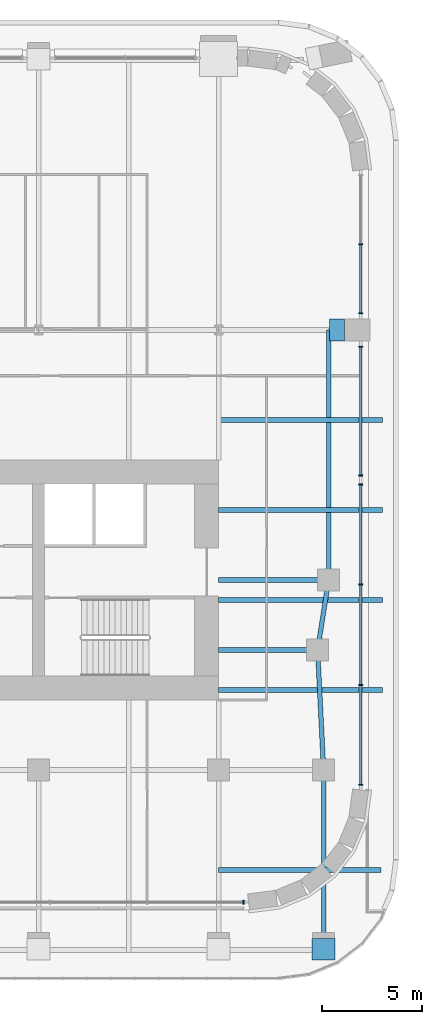
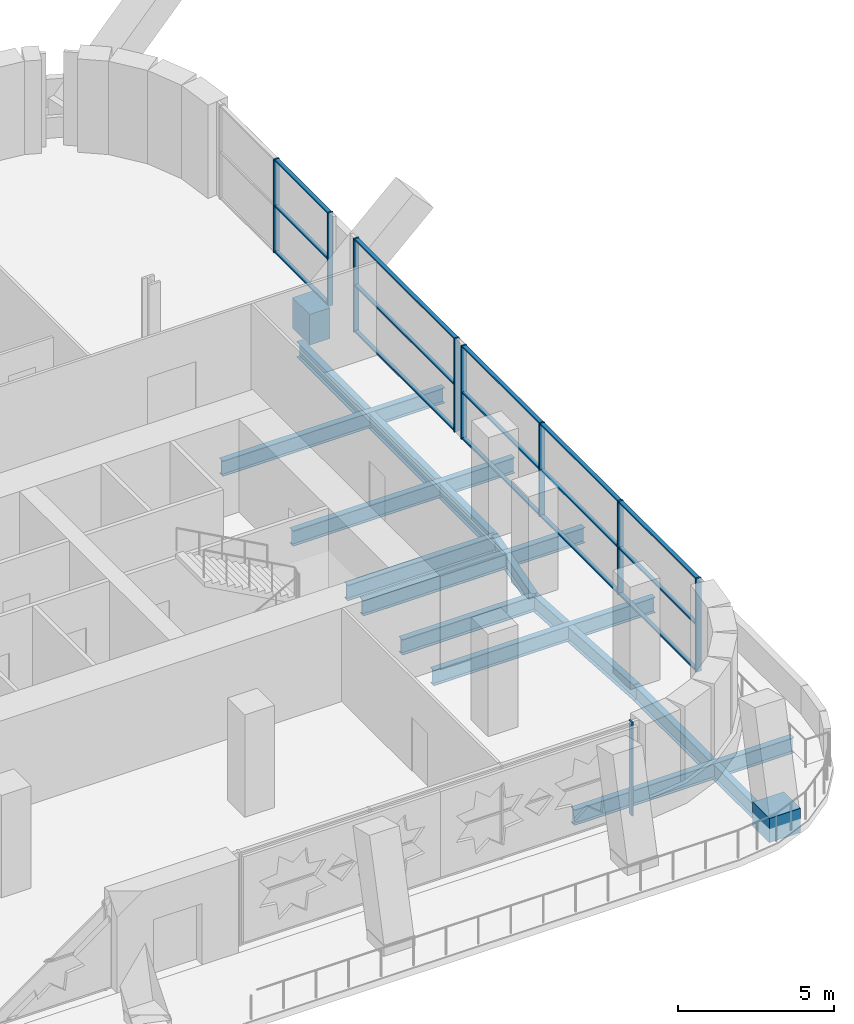
# One storey, part 11 of 26: 24 members, 13 beams, 4 elements without a shape of their own.
"""IFC4 building model written with IfcOpenShell, lengths in metres."""

from ifc_helpers import new_model, si_unit, direction, frame, origin, origin_2d, place, context, subcontext, project, spatial, rectangle, i_section, extrude, material, material_profile, profile_set, type_object, element, aggregate, save


model = new_model("IFC4")

# Units and contexts
model_context = context("Model", 3, precision=1e-05, world=origin(), true_north=direction((0.0, 1.0)))
body_context = subcontext(model_context, "Body", "Model", "MODEL_VIEW")
ifc_project = project(units=[si_unit("LENGTHUNIT", "METRE"), si_unit("AREAUNIT", "SQUARE_METRE"), si_unit("VOLUMEUNIT", "CUBIC_METRE"), si_unit("PLANEANGLEUNIT", "RADIAN"), si_unit("MASSUNIT", "GRAM", prefix="KILO")], contexts=[model_context])

# Site, building, storey
site_placement = place(None, origin())
site = spatial("IfcSite", under=ifc_project, at=site_placement, CompositionType="ELEMENT")
building_placement = place(site_placement, origin())
building = spatial("IfcBuilding", under=site, at=building_placement, Name="Zellij Exchange Tower", CompositionType="ELEMENT")
storey_placement = place(building_placement, frame((0.0, 0.0, 100.5)))
storey = spatial("IfcBuildingStorey", under=building, at=storey_placement, Name="L21", CompositionType="ELEMENT", Elevation=100.5)

# Curtain wall, member
ifc_material_1 = material(Name="Aluminium frame, clear insulating glass", Category="aluminium")
curtain_wall_type = type_object("IfcCurtainWallType", Name="ENV-CW6 Sky-lobby glazing", PredefinedType="NOTDEFINED", material=ifc_material_1)
curtain_wall_1_placement = place(storey_placement, origin())
curtain_wall_1 = element("IfcCurtainWall", 1, at=curtain_wall_1_placement, inside=storey, type_object=curtain_wall_type, Name="cw.L21.00e", PredefinedType="NOTDEFINED")
ifc_material_2 = material(Name="Aluminium", Category="aluminium")
ifc_material_profile_1 = material_profile(ifc_material_2, rectangle(XDim=0.06005859375, YDim=0.199951171875, at=origin_2d()), Name="AL 60x200")
ifc_profile_set_1 = profile_set([ifc_material_profile_1], Name="Aluminium")
member_type_1 = type_object("IfcMemberType", Name="ENV-CW6M Mullion 60x200", PredefinedType="MULLION", material=ifc_profile_set_1)
member_1_placement = place(storey_placement, frame((28.243896484375, -24.10009765625, 0.0), z_axis=(0.0, 0.0, 1.0), x_axis=(1.0, 0.0, 0.0)))
member_1 = element("IfcMember", 2, at=member_1_placement, type_object=member_type_1, Name="CW6 mullion 4", PredefinedType="MULLION", context=body_context, shape_type="SweptSolid", body=[
    extrude(rectangle(XDim=0.06005859375, YDim=0.199951171875, at=origin_2d()), origin(), (0.0, 0.0, 1.0), 3.64990234375),
])
aggregate(curtain_wall_1, [member_1])

# Curtain wall, members
curtain_wall_2_placement = place(storey_placement, origin())
curtain_wall_2 = element("IfcCurtainWall", 3, at=curtain_wall_2_placement, inside=storey, type_object=curtain_wall_type, Name="cw.L21.07a", PredefinedType="NOTDEFINED")
member_2_placement = place(storey_placement, frame((34.10009765625, -18.243896484375, 0.0), z_axis=(0.0, 0.0, 1.0), x_axis=(0.0, 1.0, 0.0)))
member_2 = element("IfcMember", 4, at=member_2_placement, type_object=member_type_1, Name="CW6 mullion 1", PredefinedType="MULLION", context=body_context, shape_type="SweptSolid", body=[
    extrude(rectangle(XDim=0.06005859375, YDim=0.199951171875, at=origin_2d()), origin(), (0.0, 0.0, 1.0), 3.64990234375),
])
member_3_placement = place(storey_placement, frame((34.10009765625, -13.249267578125, 0.0), z_axis=(0.0, 0.0, 1.0), x_axis=(0.0, 1.0, 0.0)))
member_3 = element("IfcMember", 5, at=member_3_placement, type_object=member_type_1, Name="CW6 mullion 2", PredefinedType="MULLION", context=body_context, shape_type="SweptSolid", body=[
    extrude(rectangle(XDim=0.06005859375, YDim=0.199951171875, at=origin_2d()), origin(), (0.0, 0.0, 1.0), 3.64990234375),
])
member_4_placement = place(storey_placement, frame((34.10009765625, -8.224609375, 0.0), z_axis=(0.0, 0.0, 1.0), x_axis=(0.0, 1.0, 0.0)))
member_4 = element("IfcMember", 6, at=member_4_placement, type_object=member_type_1, Name="CW6 mullion 3", PredefinedType="MULLION", context=body_context, shape_type="SweptSolid", body=[
    extrude(rectangle(XDim=0.06005859375, YDim=0.199951171875, at=origin_2d()), origin(), (0.0, 0.0, 1.0), 3.64990234375),
])
member_5_placement = place(storey_placement, frame((34.10009765625, -3.22998046875, 0.0), z_axis=(0.0, 0.0, 1.0), x_axis=(0.0, 1.0, 0.0)))
member_5 = element("IfcMember", 7, at=member_5_placement, type_object=member_type_1, Name="CW6 mullion 4", PredefinedType="MULLION", context=body_context, shape_type="SweptSolid", body=[
    extrude(rectangle(XDim=0.06005859375, YDim=0.199951171875, at=origin_2d()), origin(), (0.0, 0.0, 1.0), 3.64990234375),
])

curtain_wall_3_placement = place(storey_placement, origin())
curtain_wall_3 = element("IfcCurtainWall", 8, at=curtain_wall_3_placement, inside=storey, type_object=curtain_wall_type, Name="cw.L21.07b", PredefinedType="NOTDEFINED")
member_6_placement = place(storey_placement, frame((34.10009765625, -2.77001953125, 0.0), z_axis=(0.0, 0.0, 1.0), x_axis=(0.0, 1.0, 0.0)))
member_6 = element("IfcMember", 9, at=member_6_placement, type_object=member_type_1, Name="CW6 mullion 1", PredefinedType="MULLION", context=body_context, shape_type="SweptSolid", body=[
    extrude(rectangle(XDim=0.06005859375, YDim=0.199951171875, at=origin_2d()), origin(), (0.0, 0.0, 1.0), 3.64990234375),
])
member_7_placement = place(storey_placement, frame((34.10009765625, 3.669921875, 0.0), z_axis=(0.0, 0.0, 1.0), x_axis=(0.0, 1.0, 0.0)))
member_7 = element("IfcMember", 10, at=member_7_placement, type_object=member_type_1, Name="CW6 mullion 2", PredefinedType="MULLION", context=body_context, shape_type="SweptSolid", body=[
    extrude(rectangle(XDim=0.06005859375, YDim=0.199951171875, at=origin_2d()), origin(), (0.0, 0.0, 1.0), 3.64990234375),
])

curtain_wall_4_placement = place(storey_placement, origin())
curtain_wall_4 = element("IfcCurtainWall", 11, at=curtain_wall_4_placement, inside=storey, type_object=curtain_wall_type, Name="cw.L21.07c", PredefinedType="NOTDEFINED")
member_8_placement = place(storey_placement, frame((34.10009765625, 5.330078125, 0.0), z_axis=(0.0, 0.0, 1.0), x_axis=(0.0, 1.0, 0.0)))
member_8 = element("IfcMember", 12, at=member_8_placement, type_object=member_type_1, Name="CW6 mullion 1", PredefinedType="MULLION", context=body_context, shape_type="SweptSolid", body=[
    extrude(rectangle(XDim=0.06005859375, YDim=0.199951171875, at=origin_2d()), origin(), (0.0, 0.0, 1.0), 3.64990234375),
])
member_9_placement = place(storey_placement, frame((34.10009765625, 8.786865234375, 0.0), z_axis=(0.0, 0.0, 1.0), x_axis=(0.0, 1.0, 0.0)))
member_9 = element("IfcMember", 13, at=member_9_placement, type_object=member_type_1, Name="CW6 mullion 2", PredefinedType="MULLION", context=body_context, shape_type="SweptSolid", body=[
    extrude(rectangle(XDim=0.06005859375, YDim=0.199951171875, at=origin_2d()), origin(), (0.0, 0.0, 1.0), 3.64990234375),
])

# Member
ifc_material_profile_2 = material_profile(ifc_material_2, rectangle(XDim=0.139892578125, YDim=0.06005859375, at=origin_2d()), Name="AL 140x60")
ifc_profile_set_2 = profile_set([ifc_material_profile_2], Name="Aluminium")
member_type_2 = type_object("IfcMemberType", Name="ENV-CW6T Transom 140x60", PredefinedType="USERDEFINED", material=ifc_profile_set_2)
member_10_placement = place(storey_placement, frame((34.10009765625, -18.2138671875, 0.030029296875), z_axis=(0.0, 1.0, 0.0), x_axis=(-1.0, 0.0, 0.0)))
member_10 = element("IfcMember", 14, at=member_10_placement, type_object=member_type_2, Name="CW6 transom 1.1", ObjectType="TRANSOM", PredefinedType="USERDEFINED", context=body_context, shape_type="SweptSolid", body=[
    extrude(rectangle(XDim=0.139892578125, YDim=0.06005859375, at=origin_2d()), origin(), (0.0, 0.0, 1.0), 4.9345703125),
])

member_11_placement = place(storey_placement, frame((34.10009765625, -18.2138671875, 1.824951171875), z_axis=(0.0, 1.0, 0.0), x_axis=(-1.0, 0.0, 0.0)))
member_11 = element("IfcMember", 15, at=member_11_placement, type_object=member_type_2, Name="CW6 transom 1.2", ObjectType="TRANSOM", PredefinedType="USERDEFINED", context=body_context, shape_type="SweptSolid", body=[
    extrude(rectangle(XDim=0.139892578125, YDim=0.06005859375, at=origin_2d()), origin(), (0.0, 0.0, 1.0), 4.9345703125),
])

member_12_placement = place(storey_placement, frame((34.10009765625, -18.2138671875, 3.6201171875), z_axis=(0.0, 1.0, 0.0), x_axis=(-1.0, 0.0, 0.0)))
member_12 = element("IfcMember", 16, at=member_12_placement, type_object=member_type_2, Name="CW6 transom 1.3", ObjectType="TRANSOM", PredefinedType="USERDEFINED", context=body_context, shape_type="SweptSolid", body=[
    extrude(rectangle(XDim=0.139892578125, YDim=0.06005859375, at=origin_2d()), origin(), (0.0, 0.0, 1.0), 4.9345703125),
])

member_13_placement = place(storey_placement, frame((34.10009765625, -13.21923828125, 0.030029296875), z_axis=(0.0, 1.0, 0.0), x_axis=(-1.0, 0.0, 0.0)))
member_13 = element("IfcMember", 17, at=member_13_placement, type_object=member_type_2, Name="CW6 transom 2.1", ObjectType="TRANSOM", PredefinedType="USERDEFINED", context=body_context, shape_type="SweptSolid", body=[
    extrude(rectangle(XDim=0.139892578125, YDim=0.06005859375, at=origin_2d()), origin(), (0.0, 0.0, 1.0), 4.964599609375),
])

member_14_placement = place(storey_placement, frame((34.10009765625, -13.21923828125, 1.824951171875), z_axis=(0.0, 1.0, 0.0), x_axis=(-1.0, 0.0, 0.0)))
member_14 = element("IfcMember", 18, at=member_14_placement, type_object=member_type_2, Name="CW6 transom 2.2", ObjectType="TRANSOM", PredefinedType="USERDEFINED", context=body_context, shape_type="SweptSolid", body=[
    extrude(rectangle(XDim=0.139892578125, YDim=0.06005859375, at=origin_2d()), origin(), (0.0, 0.0, 1.0), 4.964599609375),
])

member_15_placement = place(storey_placement, frame((34.10009765625, -13.21923828125, 3.6201171875), z_axis=(0.0, 1.0, 0.0), x_axis=(-1.0, 0.0, 0.0)))
member_15 = element("IfcMember", 19, at=member_15_placement, type_object=member_type_2, Name="CW6 transom 2.3", ObjectType="TRANSOM", PredefinedType="USERDEFINED", context=body_context, shape_type="SweptSolid", body=[
    extrude(rectangle(XDim=0.139892578125, YDim=0.06005859375, at=origin_2d()), origin(), (0.0, 0.0, 1.0), 4.964599609375),
])

member_16_placement = place(storey_placement, frame((34.10009765625, -8.194580078125, 0.030029296875), z_axis=(0.0, 1.0, 0.0), x_axis=(-1.0, 0.0, 0.0)))
member_16 = element("IfcMember", 20, at=member_16_placement, type_object=member_type_2, Name="CW6 transom 3.1", ObjectType="TRANSOM", PredefinedType="USERDEFINED", context=body_context, shape_type="SweptSolid", body=[
    extrude(rectangle(XDim=0.139892578125, YDim=0.06005859375, at=origin_2d()), origin(), (0.0, 0.0, 1.0), 4.9345703125),
])

member_17_placement = place(storey_placement, frame((34.10009765625, -8.194580078125, 1.824951171875), z_axis=(0.0, 1.0, 0.0), x_axis=(-1.0, 0.0, 0.0)))
member_17 = element("IfcMember", 21, at=member_17_placement, type_object=member_type_2, Name="CW6 transom 3.2", ObjectType="TRANSOM", PredefinedType="USERDEFINED", context=body_context, shape_type="SweptSolid", body=[
    extrude(rectangle(XDim=0.139892578125, YDim=0.06005859375, at=origin_2d()), origin(), (0.0, 0.0, 1.0), 4.9345703125),
])

member_18_placement = place(storey_placement, frame((34.10009765625, -8.194580078125, 3.6201171875), z_axis=(0.0, 1.0, 0.0), x_axis=(-1.0, 0.0, 0.0)))
member_18 = element("IfcMember", 22, at=member_18_placement, type_object=member_type_2, Name="CW6 transom 3.3", ObjectType="TRANSOM", PredefinedType="USERDEFINED", context=body_context, shape_type="SweptSolid", body=[
    extrude(rectangle(XDim=0.139892578125, YDim=0.06005859375, at=origin_2d()), origin(), (0.0, 0.0, 1.0), 4.9345703125),
])

aggregate(curtain_wall_2, [member_2, member_3, member_4, member_5, member_10, member_11, member_12, member_13, member_14, member_15, member_16, member_17, member_18])

member_19_placement = place(storey_placement, frame((34.10009765625, -2.739990234375, 0.030029296875), z_axis=(0.0, 1.0, 0.0), x_axis=(-1.0, 0.0, 0.0)))
member_19 = element("IfcMember", 23, at=member_19_placement, type_object=member_type_2, Name="CW6 transom 1.1", ObjectType="TRANSOM", PredefinedType="USERDEFINED", context=body_context, shape_type="SweptSolid", body=[
    extrude(rectangle(XDim=0.139892578125, YDim=0.06005859375, at=origin_2d()), origin(), (0.0, 0.0, 1.0), 6.3798828125),
])

member_20_placement = place(storey_placement, frame((34.10009765625, -2.739990234375, 1.824951171875), z_axis=(0.0, 1.0, 0.0), x_axis=(-1.0, 0.0, 0.0)))
member_20 = element("IfcMember", 24, at=member_20_placement, type_object=member_type_2, Name="CW6 transom 1.2", ObjectType="TRANSOM", PredefinedType="USERDEFINED", context=body_context, shape_type="SweptSolid", body=[
    extrude(rectangle(XDim=0.139892578125, YDim=0.06005859375, at=origin_2d()), origin(), (0.0, 0.0, 1.0), 6.3798828125),
])

member_21_placement = place(storey_placement, frame((34.10009765625, -2.739990234375, 3.6201171875), z_axis=(0.0, 1.0, 0.0), x_axis=(-1.0, 0.0, 0.0)))
member_21 = element("IfcMember", 25, at=member_21_placement, type_object=member_type_2, Name="CW6 transom 1.3", ObjectType="TRANSOM", PredefinedType="USERDEFINED", context=body_context, shape_type="SweptSolid", body=[
    extrude(rectangle(XDim=0.139892578125, YDim=0.06005859375, at=origin_2d()), origin(), (0.0, 0.0, 1.0), 6.3798828125),
])

aggregate(curtain_wall_3, [member_6, member_7, member_19, member_20, member_21])

member_22_placement = place(storey_placement, frame((34.10009765625, 5.360107421875, 0.030029296875), z_axis=(0.0, 1.0, 0.0), x_axis=(-1.0, 0.0, 0.0)))
member_22 = element("IfcMember", 26, at=member_22_placement, type_object=member_type_2, Name="CW6 transom 1.1", ObjectType="TRANSOM", PredefinedType="USERDEFINED", context=body_context, shape_type="SweptSolid", body=[
    extrude(rectangle(XDim=0.139892578125, YDim=0.06005859375, at=origin_2d()), origin(), (0.0, 0.0, 1.0), 3.396728515625),
])

member_23_placement = place(storey_placement, frame((34.10009765625, 5.360107421875, 1.824951171875), z_axis=(0.0, 1.0, 0.0), x_axis=(-1.0, 0.0, 0.0)))
member_23 = element("IfcMember", 27, at=member_23_placement, type_object=member_type_2, Name="CW6 transom 1.2", ObjectType="TRANSOM", PredefinedType="USERDEFINED", context=body_context, shape_type="SweptSolid", body=[
    extrude(rectangle(XDim=0.139892578125, YDim=0.06005859375, at=origin_2d()), origin(), (0.0, 0.0, 1.0), 3.396728515625),
])

member_24_placement = place(storey_placement, frame((34.10009765625, 5.360107421875, 3.6201171875), z_axis=(0.0, 1.0, 0.0), x_axis=(-1.0, 0.0, 0.0)))
member_24 = element("IfcMember", 28, at=member_24_placement, type_object=member_type_2, Name="CW6 transom 1.3", ObjectType="TRANSOM", PredefinedType="USERDEFINED", context=body_context, shape_type="SweptSolid", body=[
    extrude(rectangle(XDim=0.139892578125, YDim=0.06005859375, at=origin_2d()), origin(), (0.0, 0.0, 1.0), 3.396728515625),
])

aggregate(curtain_wall_4, [member_8, member_9, member_22, member_23, member_24])

# Beams
ifc_material_3 = material(Name="Structural steel ASTM A992 Gr 50", Category="steel")
ifc_material_profile_3 = material_profile(ifc_material_3, i_section(OverallWidth=0.227783203125, OverallDepth=0.60205078125, WebThickness=0.010498046875, FlangeThickness=0.014892578125, at=origin_2d()), Name="W24x68")
ifc_profile_set_3 = profile_set([ifc_material_profile_3], Name="Structural steel ASTM A992 Gr 50")
beam_type_1 = type_object("IfcBeamType", Name="STR-BEAM W24x68", PredefinedType="BEAM", material=ifc_profile_set_3)
beam_1_placement = place(storey_placement, frame((27.0, -22.5, -0.60107421875), z_axis=(1.0, 0.0, 0.0), x_axis=(0.0, 1.0, 0.0)))
element("IfcBeam", 29, at=beam_1_placement, inside=storey, type_object=beam_type_1, Name="B5", PredefinedType="BEAM", context=body_context, shape_type="SweptSolid", body=[
    extrude(i_section(OverallWidth=0.227783203125, OverallDepth=0.60205078125, WebThickness=0.010498046875, FlangeThickness=0.014892578125, at=origin_2d()), origin(), (0.0, 0.0, 1.0), 8.126953125),
])
for number, where, z_axis, x_axis, name in (
    (30, (27.0, -13.5, -0.60107421875), (1.0, 0.0, 0.0), (0.0, 1.0, 0.0), "B5"),
    (31, (27.0, -9.0, -0.60107421875), (1.0, 0.0, 0.0), (0.0, 1.0, 0.0), "B5"),
    (32, (27.0, -4.5, -0.60107421875), (1.0, 0.0, 0.0), (0.0, 1.0, 0.0), "B5"),
    (33, (27.0, 0.0, -0.60107421875), (1.0, 0.0, 0.0), (0.0, 1.0, 0.0), "B5"),
):
    element("IfcBeam", number, at=place(storey_placement, frame(where, z_axis=z_axis, x_axis=x_axis)), inside=storey, type_object=beam_type_1, Name=name, PredefinedType="BEAM", context=body_context, shape_type="SweptSolid", body=[
        extrude(i_section(OverallWidth=0.227783203125, OverallDepth=0.60205078125, WebThickness=0.010498046875, FlangeThickness=0.014892578125, at=origin_2d()), origin(), (0.0, 0.0, 1.0), 8.199951171875),
    ])
ifc_material_profile_4 = material_profile(ifc_material_3, i_section(OverallWidth=0.22900390625, OverallDepth=0.612060546875, WebThickness=0.011962890625, FlangeThickness=0.01953125, at=origin_2d()), Name="W24x84")
ifc_profile_set_4 = profile_set([ifc_material_profile_4], Name="Structural steel ASTM A992 Gr 50")
beam_type_2 = type_object("IfcBeamType", Name="STR-EDGE GIRDER W24x84", PredefinedType="BEAM", material=ifc_profile_set_4)
beam_2_placement = place(storey_placement, frame((32.25, -26.5, -0.606201171875), z_axis=(0.0, 1.0, 0.0), x_axis=(-1.0, 0.0, 0.0)))
element("IfcBeam", 34, at=beam_2_placement, inside=storey, type_object=beam_type_2, Name="EB6", PredefinedType="BEAM", context=body_context, shape_type="SweptSolid", body=[
    extrude(i_section(OverallWidth=0.22900390625, OverallDepth=0.612060546875, WebThickness=0.011962890625, FlangeThickness=0.01953125, at=origin_2d()), origin(), (0.0, 0.0, 1.0), 9.0),
])
beam_3_placement = place(storey_placement, frame((32.25, -17.5, -0.606201171875), z_axis=(-0.049945724537, 0.998751933465, 0.0), x_axis=(-0.998751933465, -0.049945724537, 0.0)))
element("IfcBeam", 35, at=beam_3_placement, inside=storey, type_object=beam_type_2, Name="EB6", PredefinedType="BEAM", context=body_context, shape_type="SweptSolid", body=[
    extrude(i_section(OverallWidth=0.22900390625, OverallDepth=0.612060546875, WebThickness=0.011962890625, FlangeThickness=0.01953125, at=origin_2d()), origin(), (0.0, 0.0, 1.0), 6.007568359375),
])
beam_4_placement = place(storey_placement, frame((31.949951171875, -11.5, -0.606201171875), z_axis=(0.155251283593, 0.987875011802, 0.0), x_axis=(-0.987875011802, 0.155251283593, 0.0)))
element("IfcBeam", 36, at=beam_4_placement, inside=storey, type_object=beam_type_2, Name="EB6", PredefinedType="BEAM", context=body_context, shape_type="SweptSolid", body=[
    extrude(i_section(OverallWidth=0.22900390625, OverallDepth=0.612060546875, WebThickness=0.011962890625, FlangeThickness=0.01953125, at=origin_2d()), origin(), (0.0, 0.0, 1.0), 3.54296875),
])
beam_5_placement = place(storey_placement, frame((32.5, -8.0, -0.606201171875), z_axis=(0.0, 1.0, 0.0), x_axis=(-1.0, 0.0, 0.0)))
element("IfcBeam", 37, at=beam_5_placement, inside=storey, type_object=beam_type_2, Name="EB6", PredefinedType="BEAM", context=body_context, shape_type="SweptSolid", body=[
    extrude(i_section(OverallWidth=0.22900390625, OverallDepth=0.612060546875, WebThickness=0.011962890625, FlangeThickness=0.01953125, at=origin_2d()), origin(), (0.0, 0.0, 1.0), 12.5),
])
ifc_material_4 = material(Name="Concrete C70/85", Category="concrete")
ifc_material_profile_5 = material_profile(ifc_material_4, rectangle(XDim=1.10009765625, YDim=1.199951171875, at=origin_2d()), Name="STR-END BLOCK KNUCKLE RC1100x1200 C70/85")
ifc_profile_set_5 = profile_set([ifc_material_profile_5], Name="Concrete C70/85")
beam_type_3 = type_object("IfcBeamType", Name="STR-END BLOCK KNUCKLE RC1100x1200 C70/85", PredefinedType="BEAM", material=ifc_profile_set_5)
beam_6_placement = place(storey_placement, frame((32.548583984375, 4.5, 0.425048828125), z_axis=(1.0, 0.0, 0.0), x_axis=(0.0, 1.0, 0.0)))
element("IfcBeam", 38, at=beam_6_placement, inside=storey, type_object=beam_type_3, Name="EK2", PredefinedType="BEAM", context=body_context, shape_type="SweptSolid", body=[
    extrude(rectangle(XDim=1.10009765625, YDim=1.199951171875, at=origin_2d()), origin(), (0.0, 0.0, 1.0), 0.75390625),
])
ifc_material_profile_6 = material_profile(ifc_material_3, i_section(OverallWidth=0.22900390625, OverallDepth=0.612060546875, WebThickness=0.011962890625, FlangeThickness=0.01953125, at=origin_2d()), Name="W24x84")
ifc_profile_set_6 = profile_set([ifc_material_profile_6], Name="Structural steel ASTM A992 Gr 50")
beam_type_4 = type_object("IfcBeamType", Name="STR-GIRDER W24x84", PredefinedType="BEAM", material=ifc_profile_set_6)
beam_7_placement = place(storey_placement, frame((27.0, -11.5, -0.606201171875), z_axis=(1.0, 0.0, 0.0), x_axis=(0.0, 1.0, 0.0)))
element("IfcBeam", 39, at=beam_7_placement, inside=storey, type_object=beam_type_4, Name="G4", PredefinedType="BEAM", context=body_context, shape_type="SweptSolid", body=[
    extrude(i_section(OverallWidth=0.22900390625, OverallDepth=0.612060546875, WebThickness=0.011962890625, FlangeThickness=0.01953125, at=origin_2d()), origin(), (0.0, 0.0, 1.0), 4.949951171875),
])
beam_8_placement = place(storey_placement, frame((27.0, -8.0, -0.606201171875), z_axis=(1.0, 0.0, 0.0), x_axis=(0.0, 1.0, 0.0)))
element("IfcBeam", 40, at=beam_8_placement, inside=storey, type_object=beam_type_4, Name="G4", PredefinedType="BEAM", context=body_context, shape_type="SweptSolid", body=[
    extrude(i_section(OverallWidth=0.22900390625, OverallDepth=0.612060546875, WebThickness=0.011962890625, FlangeThickness=0.01953125, at=origin_2d()), origin(), (0.0, 0.0, 1.0), 5.5),
])
ifc_material_profile_7 = material_profile(ifc_material_4, rectangle(XDim=1.14990234375, YDim=0.949951171875, at=origin_2d()), Name="STR-KNUCKLE BLOCK RC1150x950 C70/85")
ifc_profile_set_7 = profile_set([ifc_material_profile_7], Name="Concrete C70/85")
beam_type_5 = type_object("IfcBeamType", Name="STR-KNUCKLE BLOCK RC1150x950 C70/85", PredefinedType="BEAM", material=ifc_profile_set_7)
beam_9_placement = place(storey_placement, frame((32.25, -27.000244140625, -0.074951171875), z_axis=(0.0, 1.0, 0.0), x_axis=(-1.0, 0.0, 0.0)))
element("IfcBeam", 41, at=beam_9_placement, inside=storey, type_object=beam_type_5, Name="KB5", PredefinedType="BEAM", context=body_context, shape_type="SweptSolid", body=[
    extrude(rectangle(XDim=1.14990234375, YDim=0.949951171875, at=origin_2d()), origin(), (0.0, 0.0, 1.0), 1.067138671875),
])

save(model, "model.ifc")
